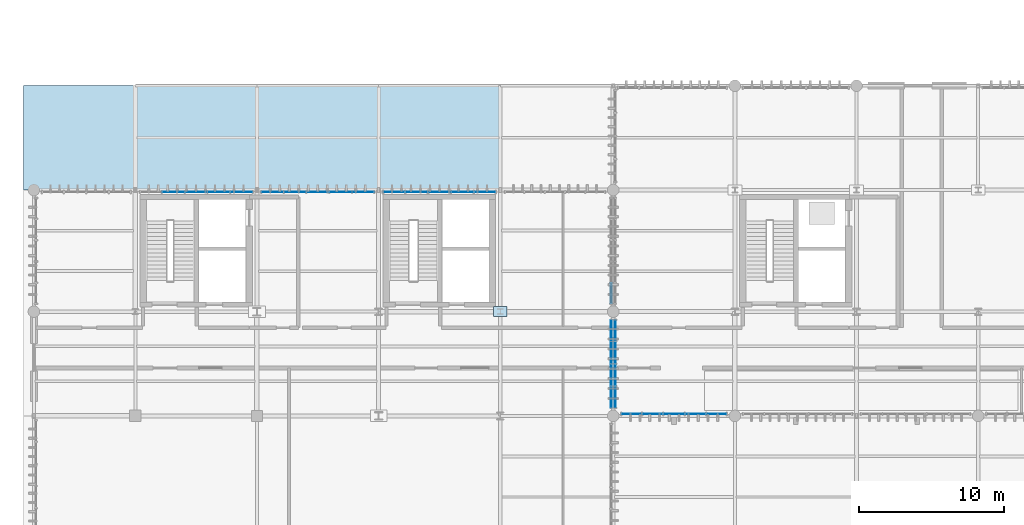
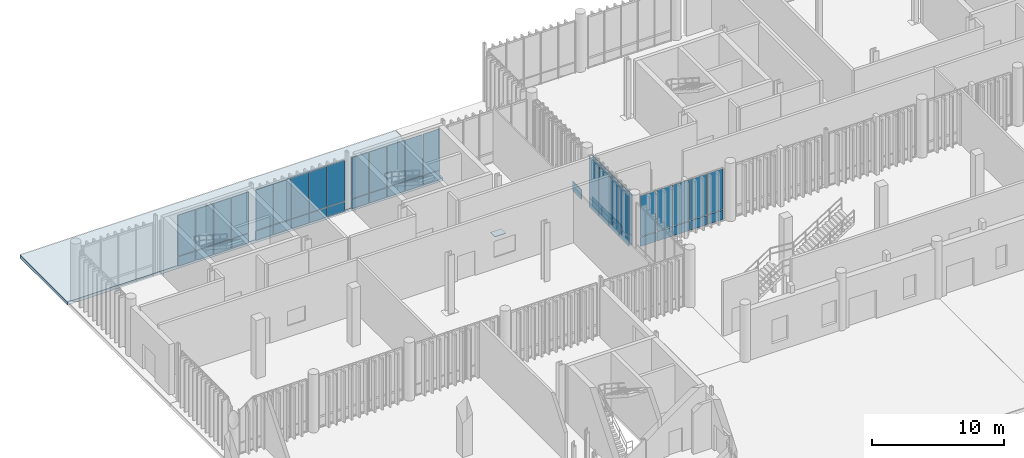
# One storey, part 77 of 112: 56 plates, 1 slab, 7 elements without a shape of their own.
"""IFC4 building model written with IfcOpenShell, lengths in metres."""

from ifc_helpers import new_model, si_unit, direction, frame, frame_2d, origin_with_axes, origin_2d_with_axis, place, context, subcontext, project, spatial, polyline, rectangle, outline, extrude, material, layer, layer_set, type_object, element, aggregate, save


model = new_model("IFC4")

# Units and contexts
model_context = context("Model", 3, precision=1e-05, world=origin_with_axes(), true_north=direction((0.0, 1.0)))
body_context = subcontext(model_context, "Body", "Model", "MODEL_VIEW")
ifc_project = project(units=[si_unit("LENGTHUNIT", "METRE"), si_unit("AREAUNIT", "SQUARE_METRE"), si_unit("VOLUMEUNIT", "CUBIC_METRE"), si_unit("PLANEANGLEUNIT", "RADIAN"), si_unit("MASSUNIT", "GRAM", prefix="KILO"), si_unit("THERMODYNAMICTEMPERATUREUNIT", "KELVIN")], contexts=[model_context])

# Site, building, storey
site_placement = place(None, origin_with_axes())
site = spatial("IfcSite", under=ifc_project, at=site_placement, CompositionType="ELEMENT")
building_placement = place(site_placement, origin_with_axes())
building = spatial("IfcBuilding", under=site, at=building_placement, Name="Montbau Bow Law Courts", CompositionType="ELEMENT")
storey_placement = place(building_placement, origin_with_axes())
storey = spatial("IfcBuildingStorey", under=building, at=storey_placement, Name="L00", CompositionType="ELEMENT", Elevation=0.0)

# Plate
ifc_material_1 = material(Name="Steel CSA G40.21 Grade 350W (350 MPa)", Category="steel")
ifc_layer_1 = layer(ifc_material_1, 0.05, Name="Base Plate", Category="steel")
ifc_layer_set_1 = layer_set([ifc_layer_1], Name="Steel CSA G40.21 Grade 350W (350 MPa)")
plate_type_1 = type_object("IfcPlateType", Name="PL-BAS-02", PredefinedType="USERDEFINED", material=ifc_layer_set_1)
plate_1_placement = place(None, frame((39.0, 46.2, -0.05), z_axis=(0.0, 0.0, 1.0), x_axis=(1.0, 0.0, 0.0)))
element("IfcPlate", 1, at=plate_1_placement, inside=storey, type_object=plate_type_1, Name="BP-218:plt_0006", ObjectType="BASE_PLATE", PredefinedType="USERDEFINED", context=body_context, shape_type="SweptSolid", body=[
    extrude(rectangle(XDim=0.96, YDim=0.68, at=origin_2d_with_axis()), origin_with_axes(), (0.0, 0.0, 1.0), 0.05),
])

# Curtain wall, plates
ifc_material_2 = material(Name="Thermally Broken Extruded Aluminium AA 6063-T6", Category="aluminium")
curtain_wall_type_1 = type_object("IfcCurtainWallType", Name="CW-TRC-01", PredefinedType="NOTDEFINED", material=ifc_material_2)
curtain_wall_1_placement = place(None, frame((14.068, 54.46, 0.0), z_axis=(0.0, 0.0, 1.0), x_axis=(1.0, 0.0, 0.0)))
curtain_wall_1 = element("IfcCurtainWall", 2, at=curtain_wall_1_placement, inside=storey, type_object=curtain_wall_type_1, Name="CW-L00-007:cw_0007", PredefinedType="NOTDEFINED")
ifc_material_3 = material(Name="Triple-Glazed Low-E Argon Insulating Glass Unit", Category="glass")
ifc_layer_2 = layer(ifc_material_3, 0.044, Name="Curtain Panel", Category="glass")
ifc_layer_set_2 = layer_set([ifc_layer_2], Name="Triple-Glazed Low-E Argon Insulating Glass Unit")
plate_type_2 = type_object("IfcPlateType", Name="PL-CWP-01", PredefinedType="CURTAIN_PANEL", material=ifc_layer_set_2)
plate_2_placement = place(None, frame((15.675, 54.46, 0.979), z_axis=(0.0, -1.0, 0.0), x_axis=(1.0, 0.0, 0.0)))
plate_2 = element("IfcPlate", 3, at=plate_2_placement, type_object=plate_type_2, Name="CW-L00-007-P02-2:cw_0007_P02_2", PredefinedType="CURTAIN_PANEL", context=body_context, shape_type="SweptSolid", body=[
    extrude(rectangle(XDim=1.504, YDim=3.785, at=frame_2d((0.752, 1.8925), x_axis=(1.0, 0.0))), frame((0.0, 0.0, -0.022), z_axis=(0.0, 0.0, 1.0), x_axis=(1.0, 0.0, 0.0)), (0.0, 0.0, 1.0), 0.044),
])
plate_3_placement = place(None, frame((17.248, 54.46, 0.979), z_axis=(0.0, -1.0, 0.0), x_axis=(1.0, 0.0, 0.0)))
plate_3 = element("IfcPlate", 4, at=plate_3_placement, type_object=plate_type_2, Name="CW-L00-007-P03-2:cw_0007_P03_2", PredefinedType="CURTAIN_PANEL", context=body_context, shape_type="SweptSolid", body=[
    extrude(rectangle(XDim=1.505, YDim=3.785, at=frame_2d((0.7525, 1.8925), x_axis=(1.0, 0.0))), frame((0.0, 0.0, -0.022), z_axis=(0.0, 0.0, 1.0), x_axis=(1.0, 0.0, 0.0)), (0.0, 0.0, 1.0), 0.044),
])
plate_4_placement = place(None, frame((18.821, 54.46, 0.979), z_axis=(0.0, -1.0, 0.0), x_axis=(1.0, 0.0, 0.0)))
plate_4 = element("IfcPlate", 5, at=plate_4_placement, type_object=plate_type_2, Name="CW-L00-007-P04-2:cw_0007_P04_2", PredefinedType="CURTAIN_PANEL", context=body_context, shape_type="SweptSolid", body=[
    extrude(rectangle(XDim=1.505, YDim=3.785, at=frame_2d((0.7525, 1.8925), x_axis=(1.0, 0.0))), frame((0.0, 0.0, -0.022), z_axis=(0.0, 0.0, 1.0), x_axis=(1.0, 0.0, 0.0)), (0.0, 0.0, 1.0), 0.044),
])
plate_5_placement = place(None, frame((20.394, 54.46, 0.979), z_axis=(0.0, -1.0, 0.0), x_axis=(1.0, 0.0, 0.0)))
plate_5 = element("IfcPlate", 6, at=plate_5_placement, type_object=plate_type_2, Name="CW-L00-007-P05-2:cw_0007_P05_2", PredefinedType="CURTAIN_PANEL", context=body_context, shape_type="SweptSolid", body=[
    extrude(rectangle(XDim=1.473, YDim=3.785, at=frame_2d((0.7365, 1.8925), x_axis=(1.0, 0.0))), frame((0.0, 0.0, -0.022), z_axis=(0.0, 0.0, 1.0), x_axis=(1.0, 0.0, 0.0)), (0.0, 0.0, 1.0), 0.044),
])

curtain_wall_2_placement = place(None, frame((22.467, 54.46, 0.0), z_axis=(0.0, 0.0, 1.0), x_axis=(1.0, 0.0, 0.0)))
curtain_wall_2 = element("IfcCurtainWall", 7, at=curtain_wall_2_placement, inside=storey, type_object=curtain_wall_type_1, Name="CW-L00-008:cw_0008", PredefinedType="NOTDEFINED")
plate_6_placement = place(None, frame((22.529, 54.46, 0.982), z_axis=(0.0, -1.0, 0.0), x_axis=(1.0, 0.0, 0.0)))
plate_6 = element("IfcPlate", 8, at=plate_6_placement, type_object=plate_type_2, Name="CW-L00-008-P01-2:cw_0008_P01_2", PredefinedType="CURTAIN_PANEL", context=body_context, shape_type="SweptSolid", body=[
    extrude(rectangle(XDim=1.479, YDim=3.776, at=frame_2d((0.7395, 1.888), x_axis=(1.0, 0.0))), frame((0.0, 0.0, -0.022), z_axis=(0.0, 0.0, 1.0), x_axis=(1.0, 0.0, 0.0)), (0.0, 0.0, 1.0), 0.044),
])
plate_7_placement = place(None, frame((24.072, 54.46, 0.982), z_axis=(0.0, -1.0, 0.0), x_axis=(1.0, 0.0, 0.0)))
plate_7 = element("IfcPlate", 9, at=plate_7_placement, type_object=plate_type_2, Name="CW-L00-008-P02-2:cw_0008_P02_2", PredefinedType="CURTAIN_PANEL", context=body_context, shape_type="SweptSolid", body=[
    extrude(rectangle(XDim=1.509, YDim=3.776, at=frame_2d((0.7545, 1.888), x_axis=(1.0, 0.0))), frame((0.0, 0.0, -0.022), z_axis=(0.0, 0.0, 1.0), x_axis=(1.0, 0.0, 0.0)), (0.0, 0.0, 1.0), 0.044),
])
plate_8_placement = place(None, frame((25.645, 54.46, 0.982), z_axis=(0.0, -1.0, 0.0), x_axis=(1.0, 0.0, 0.0)))
plate_8 = element("IfcPlate", 10, at=plate_8_placement, type_object=plate_type_2, Name="CW-L00-008-P03-2:cw_0008_P03_2", PredefinedType="CURTAIN_PANEL", context=body_context, shape_type="SweptSolid", body=[
    extrude(rectangle(XDim=1.51, YDim=3.776, at=frame_2d((0.755, 1.888), x_axis=(1.0, 0.0))), frame((0.0, 0.0, -0.022), z_axis=(0.0, 0.0, 1.0), x_axis=(1.0, 0.0, 0.0)), (0.0, 0.0, 1.0), 0.044),
])
plate_9_placement = place(None, frame((27.219, 54.46, 0.982), z_axis=(0.0, -1.0, 0.0), x_axis=(1.0, 0.0, 0.0)))
plate_9 = element("IfcPlate", 11, at=plate_9_placement, type_object=plate_type_2, Name="CW-L00-008-P04-2:cw_0008_P04_2", PredefinedType="CURTAIN_PANEL", context=body_context, shape_type="SweptSolid", body=[
    extrude(rectangle(XDim=1.509, YDim=3.776, at=frame_2d((0.7545, 1.888), x_axis=(1.0, 0.0))), frame((0.0, 0.0, -0.022), z_axis=(0.0, 0.0, 1.0), x_axis=(1.0, 0.0, 0.0)), (0.0, 0.0, 1.0), 0.044),
])
plate_10_placement = place(None, frame((28.792, 54.46, 0.982), z_axis=(0.0, -1.0, 0.0), x_axis=(1.0, 0.0, 0.0)))
plate_10 = element("IfcPlate", 12, at=plate_10_placement, type_object=plate_type_2, Name="CW-L00-008-P05-2:cw_0008_P05_2", PredefinedType="CURTAIN_PANEL", context=body_context, shape_type="SweptSolid", body=[
    extrude(rectangle(XDim=1.479, YDim=3.776, at=frame_2d((0.7395, 1.888), x_axis=(1.0, 0.0))), frame((0.0, 0.0, -0.022), z_axis=(0.0, 0.0, 1.0), x_axis=(1.0, 0.0, 0.0)), (0.0, 0.0, 1.0), 0.044),
])

curtain_wall_3_placement = place(None, frame((30.867, 54.46, 0.0), z_axis=(0.0, 0.0, 1.0), x_axis=(1.0, 0.0, 0.0)))
curtain_wall_3 = element("IfcCurtainWall", 13, at=curtain_wall_3_placement, inside=storey, type_object=curtain_wall_type_1, Name="CW-L00-009:cw_0009", PredefinedType="NOTDEFINED")
plate_11_placement = place(None, frame((30.943, 54.46, 0.979), z_axis=(0.0, -1.0, 0.0), x_axis=(1.0, 0.0, 0.0)))
plate_11 = element("IfcPlate", 14, at=plate_11_placement, type_object=plate_type_2, Name="CW-L00-009-P01-2:cw_0009_P01_2", PredefinedType="CURTAIN_PANEL", context=body_context, shape_type="SweptSolid", body=[
    extrude(rectangle(XDim=1.457, YDim=3.785, at=frame_2d((0.7285, 1.8925), x_axis=(1.0, 0.0))), frame((0.0, 0.0, -0.022), z_axis=(0.0, 0.0, 1.0), x_axis=(1.0, 0.0, 0.0)), (0.0, 0.0, 1.0), 0.044),
])
plate_12_placement = place(None, frame((32.48, 54.46, 0.979), z_axis=(0.0, -1.0, 0.0), x_axis=(1.0, 0.0, 0.0)))
plate_12 = element("IfcPlate", 15, at=plate_12_placement, type_object=plate_type_2, Name="CW-L00-009-P02-2:cw_0009_P02_2", PredefinedType="CURTAIN_PANEL", context=body_context, shape_type="SweptSolid", body=[
    extrude(rectangle(XDim=1.494, YDim=3.785, at=frame_2d((0.747, 1.8925), x_axis=(1.0, 0.0))), frame((0.0, 0.0, -0.022), z_axis=(0.0, 0.0, 1.0), x_axis=(1.0, 0.0, 0.0)), (0.0, 0.0, 1.0), 0.044),
])
plate_13_placement = place(None, frame((34.052, 54.46, 0.979), z_axis=(0.0, -1.0, 0.0), x_axis=(1.0, 0.0, 0.0)))
plate_13 = element("IfcPlate", 16, at=plate_13_placement, type_object=plate_type_2, Name="CW-L00-009-P03-2:cw_0009_P03_2", PredefinedType="CURTAIN_PANEL", context=body_context, shape_type="SweptSolid", body=[
    extrude(rectangle(XDim=1.495, YDim=3.785, at=frame_2d((0.7475, 1.8925), x_axis=(1.0, 0.0))), frame((0.0, 0.0, -0.022), z_axis=(0.0, 0.0, 1.0), x_axis=(1.0, 0.0, 0.0)), (0.0, 0.0, 1.0), 0.044),
])
plate_14_placement = place(None, frame((35.625, 54.46, 0.979), z_axis=(0.0, -1.0, 0.0), x_axis=(1.0, 0.0, 0.0)))
plate_14 = element("IfcPlate", 17, at=plate_14_placement, type_object=plate_type_2, Name="CW-L00-009-P04-2:cw_0009_P04_2", PredefinedType="CURTAIN_PANEL", context=body_context, shape_type="SweptSolid", body=[
    extrude(rectangle(XDim=1.495, YDim=3.785, at=frame_2d((0.7475, 1.8925), x_axis=(1.0, 0.0))), frame((0.0, 0.0, -0.022), z_axis=(0.0, 0.0, 1.0), x_axis=(1.0, 0.0, 0.0)), (0.0, 0.0, 1.0), 0.044),
])
plate_15_placement = place(None, frame((37.198, 54.46, 0.979), z_axis=(0.0, -1.0, 0.0), x_axis=(1.0, 0.0, 0.0)))
plate_15 = element("IfcPlate", 18, at=plate_15_placement, type_object=plate_type_2, Name="CW-L00-009-P05-2:cw_0009_P05_2", PredefinedType="CURTAIN_PANEL", context=body_context, shape_type="SweptSolid", body=[
    extrude(rectangle(XDim=1.457, YDim=3.785, at=frame_2d((0.7285, 1.8925), x_axis=(1.0, 0.0))), frame((0.0, 0.0, -0.022), z_axis=(0.0, 0.0, 1.0), x_axis=(1.0, 0.0, 0.0)), (0.0, 0.0, 1.0), 0.044),
])

curtain_wall_4_placement = place(None, frame((46.66, 39.515, 0.0), z_axis=(0.0, 0.0, 1.0), x_axis=(1.0, 0.0, 0.0)))
curtain_wall_4 = element("IfcCurtainWall", 19, at=curtain_wall_4_placement, inside=storey, type_object=curtain_wall_type_1, Name="CW-L00-014:cw_0014", PredefinedType="NOTDEFINED")
plate_16_placement = place(None, frame((46.66, 39.577, 0.982), z_axis=(1.0, 0.0, 0.0), x_axis=(0.0, 1.0, 0.0)))
plate_16 = element("IfcPlate", 20, at=plate_16_placement, type_object=plate_type_2, Name="CW-L00-014-P01-2:cw_0014_P01_2", PredefinedType="CURTAIN_PANEL", context=body_context, shape_type="SweptSolid", body=[
    extrude(rectangle(XDim=1.449, YDim=3.776, at=frame_2d((0.7245, 1.888), x_axis=(1.0, 0.0))), frame((0.0, 0.0, -0.022), z_axis=(0.0, 0.0, 1.0), x_axis=(1.0, 0.0, 0.0)), (0.0, 0.0, 1.0), 0.044),
])
plate_17_placement = place(None, frame((46.66, 41.09, 0.982), z_axis=(1.0, 0.0, 0.0), x_axis=(0.0, 1.0, 0.0)))
plate_17 = element("IfcPlate", 21, at=plate_17_placement, type_object=plate_type_2, Name="CW-L00-014-P02-2:cw_0014_P02_2", PredefinedType="CURTAIN_PANEL", context=body_context, shape_type="SweptSolid", body=[
    extrude(rectangle(XDim=1.478, YDim=3.776, at=frame_2d((0.739, 1.888), x_axis=(1.0, 0.0))), frame((0.0, 0.0, -0.022), z_axis=(0.0, 0.0, 1.0), x_axis=(1.0, 0.0, 0.0)), (0.0, 0.0, 1.0), 0.044),
])
plate_18_placement = place(None, frame((46.66, 42.632, 0.982), z_axis=(1.0, 0.0, 0.0), x_axis=(0.0, 1.0, 0.0)))
plate_18 = element("IfcPlate", 22, at=plate_18_placement, type_object=plate_type_2, Name="CW-L00-014-P03-2:cw_0014_P03_2", PredefinedType="CURTAIN_PANEL", context=body_context, shape_type="SweptSolid", body=[
    extrude(rectangle(XDim=1.479, YDim=3.776, at=frame_2d((0.7395, 1.888), x_axis=(1.0, 0.0))), frame((0.0, 0.0, -0.022), z_axis=(0.0, 0.0, 1.0), x_axis=(1.0, 0.0, 0.0)), (0.0, 0.0, 1.0), 0.044),
])
plate_19_placement = place(None, frame((46.66, 44.175, 0.982), z_axis=(1.0, 0.0, 0.0), x_axis=(0.0, 1.0, 0.0)))
plate_19 = element("IfcPlate", 23, at=plate_19_placement, type_object=plate_type_2, Name="CW-L00-014-P04-2:cw_0014_P04_2", PredefinedType="CURTAIN_PANEL", context=body_context, shape_type="SweptSolid", body=[
    extrude(rectangle(XDim=1.448, YDim=3.776, at=frame_2d((0.724, 1.888), x_axis=(1.0, 0.0))), frame((0.0, 0.0, -0.022), z_axis=(0.0, 0.0, 1.0), x_axis=(1.0, 0.0, 0.0)), (0.0, 0.0, 1.0), 0.044),
])

curtain_wall_type_2 = type_object("IfcCurtainWallType", Name="CW-CRM-01", PredefinedType="NOTDEFINED", material=ifc_material_2)
curtain_wall_5_placement = place(None, frame((47.315, 39.14, 0.0), z_axis=(0.0, 0.0, 1.0), x_axis=(1.0, 0.0, 0.0)))
curtain_wall_5 = element("IfcCurtainWall", 24, at=curtain_wall_5_placement, inside=storey, type_object=curtain_wall_type_2, Name="CW-L00-123:cw_0123", PredefinedType="NOTDEFINED")
plate_20_placement = place(None, frame((47.391, 39.14, 0.979), z_axis=(0.0, -1.0, 0.0), x_axis=(1.0, 0.0, 0.0)))
plate_20 = element("IfcPlate", 25, at=plate_20_placement, type_object=plate_type_2, Name="CW-L00-123-P01-2:cw_0123_P01_2", PredefinedType="CURTAIN_PANEL", context=body_context, shape_type="SweptSolid", body=[
    extrude(rectangle(XDim=1.358, YDim=3.785, at=frame_2d((0.679, 1.8925), x_axis=(1.0, 0.0))), frame((0.0, 0.0, -0.022), z_axis=(0.0, 0.0, 1.0), x_axis=(1.0, 0.0, 0.0)), (0.0, 0.0, 1.0), 0.044),
])
plate_21_placement = place(None, frame((48.829, 39.14, 0.979), z_axis=(0.0, -1.0, 0.0), x_axis=(1.0, 0.0, 0.0)))
plate_21 = element("IfcPlate", 26, at=plate_21_placement, type_object=plate_type_2, Name="CW-L00-123-P02-2:cw_0123_P02_2", PredefinedType="CURTAIN_PANEL", context=body_context, shape_type="SweptSolid", body=[
    extrude(rectangle(XDim=1.395, YDim=3.785, at=frame_2d((0.6975, 1.8925), x_axis=(1.0, 0.0))), frame((0.0, 0.0, -0.022), z_axis=(0.0, 0.0, 1.0), x_axis=(1.0, 0.0, 0.0)), (0.0, 0.0, 1.0), 0.044),
])
plate_22_placement = place(None, frame((50.302, 39.14, 0.979), z_axis=(0.0, -1.0, 0.0), x_axis=(1.0, 0.0, 0.0)))
plate_22 = element("IfcPlate", 27, at=plate_22_placement, type_object=plate_type_2, Name="CW-L00-123-P03-2:cw_0123_P03_2", PredefinedType="CURTAIN_PANEL", context=body_context, shape_type="SweptSolid", body=[
    extrude(rectangle(XDim=1.396, YDim=3.785, at=frame_2d((0.698, 1.8925), x_axis=(1.0, 0.0))), frame((0.0, 0.0, -0.022), z_axis=(0.0, 0.0, 1.0), x_axis=(1.0, 0.0, 0.0)), (0.0, 0.0, 1.0), 0.044),
])
plate_23_placement = place(None, frame((51.776, 39.14, 0.979), z_axis=(0.0, -1.0, 0.0), x_axis=(1.0, 0.0, 0.0)))
plate_23 = element("IfcPlate", 28, at=plate_23_placement, type_object=plate_type_2, Name="CW-L00-123-P04-2:cw_0123_P04_2", PredefinedType="CURTAIN_PANEL", context=body_context, shape_type="SweptSolid", body=[
    extrude(rectangle(XDim=1.396, YDim=3.785, at=frame_2d((0.698, 1.8925), x_axis=(1.0, 0.0))), frame((0.0, 0.0, -0.022), z_axis=(0.0, 0.0, 1.0), x_axis=(1.0, 0.0, 0.0)), (0.0, 0.0, 1.0), 0.044),
])
plate_24_placement = place(None, frame((53.25, 39.14, 0.979), z_axis=(0.0, -1.0, 0.0), x_axis=(1.0, 0.0, 0.0)))
plate_24 = element("IfcPlate", 29, at=plate_24_placement, type_object=plate_type_2, Name="CW-L00-123-P05-2:cw_0123_P05_2", PredefinedType="CURTAIN_PANEL", context=body_context, shape_type="SweptSolid", body=[
    extrude(rectangle(XDim=1.359, YDim=3.785, at=frame_2d((0.6795, 1.8925), x_axis=(1.0, 0.0))), frame((0.0, 0.0, -0.022), z_axis=(0.0, 0.0, 1.0), x_axis=(1.0, 0.0, 0.0)), (0.0, 0.0, 1.0), 0.044),
])

curtain_wall_6_placement = place(None, frame((46.94, 39.515, 0.0), z_axis=(0.0, 0.0, 1.0), x_axis=(1.0, 0.0, 0.0)))
curtain_wall_6 = element("IfcCurtainWall", 30, at=curtain_wall_6_placement, inside=storey, type_object=curtain_wall_type_2, Name="CW-L00-133:cw_0133", PredefinedType="NOTDEFINED")
plate_25_placement = place(None, frame((46.94, 39.583, 0.979), z_axis=(1.0, 0.0, 0.0), x_axis=(0.0, 1.0, 0.0)))
plate_25 = element("IfcPlate", 31, at=plate_25_placement, type_object=plate_type_2, Name="CW-L00-133-P01-2:cw_0133_P01_2", PredefinedType="CURTAIN_PANEL", context=body_context, shape_type="SweptSolid", body=[
    extrude(rectangle(XDim=1.44, YDim=3.785, at=frame_2d((0.72, 1.8925), x_axis=(1.0, 0.0))), frame((0.0, 0.0, -0.022), z_axis=(0.0, 0.0, 1.0), x_axis=(1.0, 0.0, 0.0)), (0.0, 0.0, 1.0), 0.044),
])
plate_26_placement = place(None, frame((46.94, 41.092, 0.979), z_axis=(1.0, 0.0, 0.0), x_axis=(0.0, 1.0, 0.0)))
plate_26 = element("IfcPlate", 32, at=plate_26_placement, type_object=plate_type_2, Name="CW-L00-133-P02-2:cw_0133_P02_2", PredefinedType="CURTAIN_PANEL", context=body_context, shape_type="SweptSolid", body=[
    extrude(rectangle(XDim=1.473, YDim=3.785, at=frame_2d((0.7365, 1.8925), x_axis=(1.0, 0.0))), frame((0.0, 0.0, -0.022), z_axis=(0.0, 0.0, 1.0), x_axis=(1.0, 0.0, 0.0)), (0.0, 0.0, 1.0), 0.044),
])
plate_27_placement = place(None, frame((46.94, 42.634, 0.979), z_axis=(1.0, 0.0, 0.0), x_axis=(0.0, 1.0, 0.0)))
plate_27 = element("IfcPlate", 33, at=plate_27_placement, type_object=plate_type_2, Name="CW-L00-133-P03-2:cw_0133_P03_2", PredefinedType="CURTAIN_PANEL", context=body_context, shape_type="SweptSolid", body=[
    extrude(rectangle(XDim=1.475, YDim=3.785, at=frame_2d((0.7375, 1.8925), x_axis=(1.0, 0.0))), frame((0.0, 0.0, -0.022), z_axis=(0.0, 0.0, 1.0), x_axis=(1.0, 0.0, 0.0)), (0.0, 0.0, 1.0), 0.044),
])
plate_28_placement = place(None, frame((46.94, 44.177, 0.979), z_axis=(1.0, 0.0, 0.0), x_axis=(0.0, 1.0, 0.0)))
plate_28 = element("IfcPlate", 34, at=plate_28_placement, type_object=plate_type_2, Name="CW-L00-133-P04-2:cw_0133_P04_2", PredefinedType="CURTAIN_PANEL", context=body_context, shape_type="SweptSolid", body=[
    extrude(rectangle(XDim=1.442, YDim=3.785, at=frame_2d((0.721, 1.8925), x_axis=(1.0, 0.0))), frame((0.0, 0.0, -0.022), z_axis=(0.0, 0.0, 1.0), x_axis=(1.0, 0.0, 0.0)), (0.0, 0.0, 1.0), 0.044),
])

# Plate
ifc_material_4 = material(Name="Insulated Ceramic-Frit Spandrel Glazing Unit", Category="glass")
ifc_layer_3 = layer(ifc_material_4, 0.056, Name="Curtain Panel", Category="glass")
ifc_layer_set_3 = layer_set([ifc_layer_3], Name="Insulated Ceramic-Frit Spandrel Glazing Unit")
plate_type_3 = type_object("IfcPlateType", Name="PL-CWP-02", PredefinedType="CURTAIN_PANEL", material=ifc_layer_set_3)
plate_29_placement = place(None, frame((15.675, 54.46, 0.058), z_axis=(0.0, -1.0, 0.0), x_axis=(1.0, 0.0, 0.0)))
plate_29 = element("IfcPlate", 35, at=plate_29_placement, type_object=plate_type_3, Name="CW-L00-007-P02-1:cw_0007_P02_1", PredefinedType="CURTAIN_PANEL", context=body_context, shape_type="SweptSolid", body=[
    extrude(rectangle(XDim=1.504, YDim=0.862, at=frame_2d((0.752, 0.431), x_axis=(1.0, 0.0))), frame((0.0, 0.0, -0.028), z_axis=(0.0, 0.0, 1.0), x_axis=(1.0, 0.0, 0.0)), (0.0, 0.0, 1.0), 0.056),
])

plate_30_placement = place(None, frame((17.248, 54.46, 0.058), z_axis=(0.0, -1.0, 0.0), x_axis=(1.0, 0.0, 0.0)))
plate_30 = element("IfcPlate", 36, at=plate_30_placement, type_object=plate_type_3, Name="CW-L00-007-P03-1:cw_0007_P03_1", PredefinedType="CURTAIN_PANEL", context=body_context, shape_type="SweptSolid", body=[
    extrude(rectangle(XDim=1.505, YDim=0.862, at=frame_2d((0.7525, 0.431), x_axis=(1.0, 0.0))), frame((0.0, 0.0, -0.028), z_axis=(0.0, 0.0, 1.0), x_axis=(1.0, 0.0, 0.0)), (0.0, 0.0, 1.0), 0.056),
])

plate_31_placement = place(None, frame((18.821, 54.46, 0.058), z_axis=(0.0, -1.0, 0.0), x_axis=(1.0, 0.0, 0.0)))
plate_31 = element("IfcPlate", 37, at=plate_31_placement, type_object=plate_type_3, Name="CW-L00-007-P04-1:cw_0007_P04_1", PredefinedType="CURTAIN_PANEL", context=body_context, shape_type="SweptSolid", body=[
    extrude(rectangle(XDim=1.505, YDim=0.862, at=frame_2d((0.7525, 0.431), x_axis=(1.0, 0.0))), frame((0.0, 0.0, -0.028), z_axis=(0.0, 0.0, 1.0), x_axis=(1.0, 0.0, 0.0)), (0.0, 0.0, 1.0), 0.056),
])

plate_32_placement = place(None, frame((20.394, 54.46, 0.058), z_axis=(0.0, -1.0, 0.0), x_axis=(1.0, 0.0, 0.0)))
plate_32 = element("IfcPlate", 38, at=plate_32_placement, type_object=plate_type_3, Name="CW-L00-007-P05-1:cw_0007_P05_1", PredefinedType="CURTAIN_PANEL", context=body_context, shape_type="SweptSolid", body=[
    extrude(rectangle(XDim=1.473, YDim=0.862, at=frame_2d((0.7365, 0.431), x_axis=(1.0, 0.0))), frame((0.0, 0.0, -0.028), z_axis=(0.0, 0.0, 1.0), x_axis=(1.0, 0.0, 0.0)), (0.0, 0.0, 1.0), 0.056),
])

aggregate(curtain_wall_1, [plate_29, plate_2, plate_30, plate_3, plate_31, plate_4, plate_32, plate_5])

plate_33_placement = place(None, frame((22.529, 54.46, 0.062), z_axis=(0.0, -1.0, 0.0), x_axis=(1.0, 0.0, 0.0)))
plate_33 = element("IfcPlate", 39, at=plate_33_placement, type_object=plate_type_3, Name="CW-L00-008-P01-1:cw_0008_P01_1", PredefinedType="CURTAIN_PANEL", context=body_context, shape_type="SweptSolid", body=[
    extrude(rectangle(XDim=1.479, YDim=0.856, at=frame_2d((0.7395, 0.428), x_axis=(1.0, 0.0))), frame((0.0, 0.0, -0.028), z_axis=(0.0, 0.0, 1.0), x_axis=(1.0, 0.0, 0.0)), (0.0, 0.0, 1.0), 0.056),
])

plate_34_placement = place(None, frame((24.072, 54.46, 0.062), z_axis=(0.0, -1.0, 0.0), x_axis=(1.0, 0.0, 0.0)))
plate_34 = element("IfcPlate", 40, at=plate_34_placement, type_object=plate_type_3, Name="CW-L00-008-P02-1:cw_0008_P02_1", PredefinedType="CURTAIN_PANEL", context=body_context, shape_type="SweptSolid", body=[
    extrude(rectangle(XDim=1.509, YDim=0.856, at=frame_2d((0.7545, 0.428), x_axis=(1.0, 0.0))), frame((0.0, 0.0, -0.028), z_axis=(0.0, 0.0, 1.0), x_axis=(1.0, 0.0, 0.0)), (0.0, 0.0, 1.0), 0.056),
])

plate_35_placement = place(None, frame((25.645, 54.46, 0.062), z_axis=(0.0, -1.0, 0.0), x_axis=(1.0, 0.0, 0.0)))
plate_35 = element("IfcPlate", 41, at=plate_35_placement, type_object=plate_type_3, Name="CW-L00-008-P03-1:cw_0008_P03_1", PredefinedType="CURTAIN_PANEL", context=body_context, shape_type="SweptSolid", body=[
    extrude(rectangle(XDim=1.51, YDim=0.856, at=frame_2d((0.755, 0.428), x_axis=(1.0, 0.0))), frame((0.0, 0.0, -0.028), z_axis=(0.0, 0.0, 1.0), x_axis=(1.0, 0.0, 0.0)), (0.0, 0.0, 1.0), 0.056),
])

plate_36_placement = place(None, frame((27.219, 54.46, 0.062), z_axis=(0.0, -1.0, 0.0), x_axis=(1.0, 0.0, 0.0)))
plate_36 = element("IfcPlate", 42, at=plate_36_placement, type_object=plate_type_3, Name="CW-L00-008-P04-1:cw_0008_P04_1", PredefinedType="CURTAIN_PANEL", context=body_context, shape_type="SweptSolid", body=[
    extrude(rectangle(XDim=1.509, YDim=0.856, at=frame_2d((0.7545, 0.428), x_axis=(1.0, 0.0))), frame((0.0, 0.0, -0.028), z_axis=(0.0, 0.0, 1.0), x_axis=(1.0, 0.0, 0.0)), (0.0, 0.0, 1.0), 0.056),
])

plate_37_placement = place(None, frame((28.792, 54.46, 0.062), z_axis=(0.0, -1.0, 0.0), x_axis=(1.0, 0.0, 0.0)))
plate_37 = element("IfcPlate", 43, at=plate_37_placement, type_object=plate_type_3, Name="CW-L00-008-P05-1:cw_0008_P05_1", PredefinedType="CURTAIN_PANEL", context=body_context, shape_type="SweptSolid", body=[
    extrude(rectangle(XDim=1.479, YDim=0.856, at=frame_2d((0.7395, 0.428), x_axis=(1.0, 0.0))), frame((0.0, 0.0, -0.028), z_axis=(0.0, 0.0, 1.0), x_axis=(1.0, 0.0, 0.0)), (0.0, 0.0, 1.0), 0.056),
])

aggregate(curtain_wall_2, [plate_33, plate_6, plate_34, plate_7, plate_35, plate_8, plate_36, plate_9, plate_37, plate_10])

plate_38_placement = place(None, frame((30.943, 54.46, 0.058), z_axis=(0.0, -1.0, 0.0), x_axis=(1.0, 0.0, 0.0)))
plate_38 = element("IfcPlate", 44, at=plate_38_placement, type_object=plate_type_3, Name="CW-L00-009-P01-1:cw_0009_P01_1", PredefinedType="CURTAIN_PANEL", context=body_context, shape_type="SweptSolid", body=[
    extrude(rectangle(XDim=1.457, YDim=0.862, at=frame_2d((0.7285, 0.431), x_axis=(1.0, 0.0))), frame((0.0, 0.0, -0.028), z_axis=(0.0, 0.0, 1.0), x_axis=(1.0, 0.0, 0.0)), (0.0, 0.0, 1.0), 0.056),
])

plate_39_placement = place(None, frame((32.48, 54.46, 0.058), z_axis=(0.0, -1.0, 0.0), x_axis=(1.0, 0.0, 0.0)))
plate_39 = element("IfcPlate", 45, at=plate_39_placement, type_object=plate_type_3, Name="CW-L00-009-P02-1:cw_0009_P02_1", PredefinedType="CURTAIN_PANEL", context=body_context, shape_type="SweptSolid", body=[
    extrude(rectangle(XDim=1.494, YDim=0.862, at=frame_2d((0.747, 0.431), x_axis=(1.0, 0.0))), frame((0.0, 0.0, -0.028), z_axis=(0.0, 0.0, 1.0), x_axis=(1.0, 0.0, 0.0)), (0.0, 0.0, 1.0), 0.056),
])

plate_40_placement = place(None, frame((34.052, 54.46, 0.058), z_axis=(0.0, -1.0, 0.0), x_axis=(1.0, 0.0, 0.0)))
plate_40 = element("IfcPlate", 46, at=plate_40_placement, type_object=plate_type_3, Name="CW-L00-009-P03-1:cw_0009_P03_1", PredefinedType="CURTAIN_PANEL", context=body_context, shape_type="SweptSolid", body=[
    extrude(rectangle(XDim=1.495, YDim=0.862, at=frame_2d((0.7475, 0.431), x_axis=(1.0, 0.0))), frame((0.0, 0.0, -0.028), z_axis=(0.0, 0.0, 1.0), x_axis=(1.0, 0.0, 0.0)), (0.0, 0.0, 1.0), 0.056),
])

plate_41_placement = place(None, frame((35.625, 54.46, 0.058), z_axis=(0.0, -1.0, 0.0), x_axis=(1.0, 0.0, 0.0)))
plate_41 = element("IfcPlate", 47, at=plate_41_placement, type_object=plate_type_3, Name="CW-L00-009-P04-1:cw_0009_P04_1", PredefinedType="CURTAIN_PANEL", context=body_context, shape_type="SweptSolid", body=[
    extrude(rectangle(XDim=1.495, YDim=0.862, at=frame_2d((0.7475, 0.431), x_axis=(1.0, 0.0))), frame((0.0, 0.0, -0.028), z_axis=(0.0, 0.0, 1.0), x_axis=(1.0, 0.0, 0.0)), (0.0, 0.0, 1.0), 0.056),
])

plate_42_placement = place(None, frame((37.198, 54.46, 0.058), z_axis=(0.0, -1.0, 0.0), x_axis=(1.0, 0.0, 0.0)))
plate_42 = element("IfcPlate", 48, at=plate_42_placement, type_object=plate_type_3, Name="CW-L00-009-P05-1:cw_0009_P05_1", PredefinedType="CURTAIN_PANEL", context=body_context, shape_type="SweptSolid", body=[
    extrude(rectangle(XDim=1.457, YDim=0.862, at=frame_2d((0.7285, 0.431), x_axis=(1.0, 0.0))), frame((0.0, 0.0, -0.028), z_axis=(0.0, 0.0, 1.0), x_axis=(1.0, 0.0, 0.0)), (0.0, 0.0, 1.0), 0.056),
])

aggregate(curtain_wall_3, [plate_38, plate_11, plate_39, plate_12, plate_40, plate_13, plate_41, plate_14, plate_42, plate_15])

plate_43_placement = place(None, frame((46.66, 39.577, 0.062), z_axis=(1.0, 0.0, 0.0), x_axis=(0.0, 1.0, 0.0)))
plate_43 = element("IfcPlate", 49, at=plate_43_placement, type_object=plate_type_3, Name="CW-L00-014-P01-1:cw_0014_P01_1", PredefinedType="CURTAIN_PANEL", context=body_context, shape_type="SweptSolid", body=[
    extrude(rectangle(XDim=1.449, YDim=0.856, at=frame_2d((0.7245, 0.428), x_axis=(1.0, 0.0))), frame((0.0, 0.0, -0.028), z_axis=(0.0, 0.0, 1.0), x_axis=(1.0, 0.0, 0.0)), (0.0, 0.0, 1.0), 0.056),
])

plate_44_placement = place(None, frame((46.66, 41.09, 0.062), z_axis=(1.0, 0.0, 0.0), x_axis=(0.0, 1.0, 0.0)))
plate_44 = element("IfcPlate", 50, at=plate_44_placement, type_object=plate_type_3, Name="CW-L00-014-P02-1:cw_0014_P02_1", PredefinedType="CURTAIN_PANEL", context=body_context, shape_type="SweptSolid", body=[
    extrude(rectangle(XDim=1.478, YDim=0.856, at=frame_2d((0.739, 0.428), x_axis=(1.0, 0.0))), frame((0.0, 0.0, -0.028), z_axis=(0.0, 0.0, 1.0), x_axis=(1.0, 0.0, 0.0)), (0.0, 0.0, 1.0), 0.056),
])

plate_45_placement = place(None, frame((46.66, 42.632, 0.062), z_axis=(1.0, 0.0, 0.0), x_axis=(0.0, 1.0, 0.0)))
plate_45 = element("IfcPlate", 51, at=plate_45_placement, type_object=plate_type_3, Name="CW-L00-014-P03-1:cw_0014_P03_1", PredefinedType="CURTAIN_PANEL", context=body_context, shape_type="SweptSolid", body=[
    extrude(rectangle(XDim=1.479, YDim=0.856, at=frame_2d((0.7395, 0.428), x_axis=(1.0, 0.0))), frame((0.0, 0.0, -0.028), z_axis=(0.0, 0.0, 1.0), x_axis=(1.0, 0.0, 0.0)), (0.0, 0.0, 1.0), 0.056),
])

plate_46_placement = place(None, frame((46.66, 44.175, 0.062), z_axis=(1.0, 0.0, 0.0), x_axis=(0.0, 1.0, 0.0)))
plate_46 = element("IfcPlate", 52, at=plate_46_placement, type_object=plate_type_3, Name="CW-L00-014-P04-1:cw_0014_P04_1", PredefinedType="CURTAIN_PANEL", context=body_context, shape_type="SweptSolid", body=[
    extrude(rectangle(XDim=1.448, YDim=0.856, at=frame_2d((0.724, 0.428), x_axis=(1.0, 0.0))), frame((0.0, 0.0, -0.028), z_axis=(0.0, 0.0, 1.0), x_axis=(1.0, 0.0, 0.0)), (0.0, 0.0, 1.0), 0.056),
])

aggregate(curtain_wall_4, [plate_43, plate_16, plate_44, plate_17, plate_45, plate_18, plate_46, plate_19])

# Curtain wall, plate
curtain_wall_7_placement = place(None, frame((46.66, 46.715, 0.0), z_axis=(0.0, 0.0, 1.0), x_axis=(1.0, 0.0, 0.0)))
curtain_wall_7 = element("IfcCurtainWall", 53, at=curtain_wall_7_placement, inside=storey, type_object=curtain_wall_type_1, Name="CW-L00-015:cw_0015", PredefinedType="NOTDEFINED")
plate_47_placement = place(None, frame((46.66, 46.791, 0.058), z_axis=(1.0, 0.0, 0.0), x_axis=(0.0, 1.0, 0.0)))
plate_47 = element("IfcPlate", 54, at=plate_47_placement, type_object=plate_type_3, Name="CW-L00-015-P01-1:cw_0015_P01_1", PredefinedType="CURTAIN_PANEL", context=body_context, shape_type="SweptSolid", body=[
    extrude(rectangle(XDim=1.358, YDim=0.862, at=frame_2d((0.679, 0.431), x_axis=(1.0, 0.0))), frame((0.0, 0.0, -0.028), z_axis=(0.0, 0.0, 1.0), x_axis=(1.0, 0.0, 0.0)), (0.0, 0.0, 1.0), 0.056),
])
aggregate(curtain_wall_7, [plate_47])

# Plate
plate_48_placement = place(None, frame((47.391, 39.14, 0.058), z_axis=(0.0, -1.0, 0.0), x_axis=(1.0, 0.0, 0.0)))
plate_48 = element("IfcPlate", 55, at=plate_48_placement, type_object=plate_type_3, Name="CW-L00-123-P01-1:cw_0123_P01_1", PredefinedType="CURTAIN_PANEL", context=body_context, shape_type="SweptSolid", body=[
    extrude(rectangle(XDim=1.358, YDim=0.862, at=frame_2d((0.679, 0.431), x_axis=(1.0, 0.0))), frame((0.0, 0.0, -0.028), z_axis=(0.0, 0.0, 1.0), x_axis=(1.0, 0.0, 0.0)), (0.0, 0.0, 1.0), 0.056),
])

plate_49_placement = place(None, frame((48.829, 39.14, 0.058), z_axis=(0.0, -1.0, 0.0), x_axis=(1.0, 0.0, 0.0)))
plate_49 = element("IfcPlate", 56, at=plate_49_placement, type_object=plate_type_3, Name="CW-L00-123-P02-1:cw_0123_P02_1", PredefinedType="CURTAIN_PANEL", context=body_context, shape_type="SweptSolid", body=[
    extrude(rectangle(XDim=1.395, YDim=0.862, at=frame_2d((0.6975, 0.431), x_axis=(1.0, 0.0))), frame((0.0, 0.0, -0.028), z_axis=(0.0, 0.0, 1.0), x_axis=(1.0, 0.0, 0.0)), (0.0, 0.0, 1.0), 0.056),
])

plate_50_placement = place(None, frame((50.302, 39.14, 0.058), z_axis=(0.0, -1.0, 0.0), x_axis=(1.0, 0.0, 0.0)))
plate_50 = element("IfcPlate", 57, at=plate_50_placement, type_object=plate_type_3, Name="CW-L00-123-P03-1:cw_0123_P03_1", PredefinedType="CURTAIN_PANEL", context=body_context, shape_type="SweptSolid", body=[
    extrude(rectangle(XDim=1.396, YDim=0.862, at=frame_2d((0.698, 0.431), x_axis=(1.0, 0.0))), frame((0.0, 0.0, -0.028), z_axis=(0.0, 0.0, 1.0), x_axis=(1.0, 0.0, 0.0)), (0.0, 0.0, 1.0), 0.056),
])

plate_51_placement = place(None, frame((51.776, 39.14, 0.058), z_axis=(0.0, -1.0, 0.0), x_axis=(1.0, 0.0, 0.0)))
plate_51 = element("IfcPlate", 58, at=plate_51_placement, type_object=plate_type_3, Name="CW-L00-123-P04-1:cw_0123_P04_1", PredefinedType="CURTAIN_PANEL", context=body_context, shape_type="SweptSolid", body=[
    extrude(rectangle(XDim=1.396, YDim=0.862, at=frame_2d((0.698, 0.431), x_axis=(1.0, 0.0))), frame((0.0, 0.0, -0.028), z_axis=(0.0, 0.0, 1.0), x_axis=(1.0, 0.0, 0.0)), (0.0, 0.0, 1.0), 0.056),
])

plate_52_placement = place(None, frame((53.25, 39.14, 0.058), z_axis=(0.0, -1.0, 0.0), x_axis=(1.0, 0.0, 0.0)))
plate_52 = element("IfcPlate", 59, at=plate_52_placement, type_object=plate_type_3, Name="CW-L00-123-P05-1:cw_0123_P05_1", PredefinedType="CURTAIN_PANEL", context=body_context, shape_type="SweptSolid", body=[
    extrude(rectangle(XDim=1.359, YDim=0.862, at=frame_2d((0.6795, 0.431), x_axis=(1.0, 0.0))), frame((0.0, 0.0, -0.028), z_axis=(0.0, 0.0, 1.0), x_axis=(1.0, 0.0, 0.0)), (0.0, 0.0, 1.0), 0.056),
])

aggregate(curtain_wall_5, [plate_48, plate_20, plate_49, plate_21, plate_50, plate_22, plate_51, plate_23, plate_52, plate_24])

plate_53_placement = place(None, frame((46.94, 39.583, 0.058), z_axis=(1.0, 0.0, 0.0), x_axis=(0.0, 1.0, 0.0)))
plate_53 = element("IfcPlate", 60, at=plate_53_placement, type_object=plate_type_3, Name="CW-L00-133-P01-1:cw_0133_P01_1", PredefinedType="CURTAIN_PANEL", context=body_context, shape_type="SweptSolid", body=[
    extrude(rectangle(XDim=1.44, YDim=0.862, at=frame_2d((0.72, 0.431), x_axis=(1.0, 0.0))), frame((0.0, 0.0, -0.028), z_axis=(0.0, 0.0, 1.0), x_axis=(1.0, 0.0, 0.0)), (0.0, 0.0, 1.0), 0.056),
])

plate_54_placement = place(None, frame((46.94, 41.092, 0.058), z_axis=(1.0, 0.0, 0.0), x_axis=(0.0, 1.0, 0.0)))
plate_54 = element("IfcPlate", 61, at=plate_54_placement, type_object=plate_type_3, Name="CW-L00-133-P02-1:cw_0133_P02_1", PredefinedType="CURTAIN_PANEL", context=body_context, shape_type="SweptSolid", body=[
    extrude(rectangle(XDim=1.473, YDim=0.862, at=frame_2d((0.7365, 0.431), x_axis=(1.0, 0.0))), frame((0.0, 0.0, -0.028), z_axis=(0.0, 0.0, 1.0), x_axis=(1.0, 0.0, 0.0)), (0.0, 0.0, 1.0), 0.056),
])

plate_55_placement = place(None, frame((46.94, 42.634, 0.058), z_axis=(1.0, 0.0, 0.0), x_axis=(0.0, 1.0, 0.0)))
plate_55 = element("IfcPlate", 62, at=plate_55_placement, type_object=plate_type_3, Name="CW-L00-133-P03-1:cw_0133_P03_1", PredefinedType="CURTAIN_PANEL", context=body_context, shape_type="SweptSolid", body=[
    extrude(rectangle(XDim=1.475, YDim=0.862, at=frame_2d((0.7375, 0.431), x_axis=(1.0, 0.0))), frame((0.0, 0.0, -0.028), z_axis=(0.0, 0.0, 1.0), x_axis=(1.0, 0.0, 0.0)), (0.0, 0.0, 1.0), 0.056),
])

plate_56_placement = place(None, frame((46.94, 44.177, 0.058), z_axis=(1.0, 0.0, 0.0), x_axis=(0.0, 1.0, 0.0)))
plate_56 = element("IfcPlate", 63, at=plate_56_placement, type_object=plate_type_3, Name="CW-L00-133-P04-1:cw_0133_P04_1", PredefinedType="CURTAIN_PANEL", context=body_context, shape_type="SweptSolid", body=[
    extrude(rectangle(XDim=1.442, YDim=0.862, at=frame_2d((0.721, 0.431), x_axis=(1.0, 0.0))), frame((0.0, 0.0, -0.028), z_axis=(0.0, 0.0, 1.0), x_axis=(1.0, 0.0, 0.0)), (0.0, 0.0, 1.0), 0.056),
])

aggregate(curtain_wall_6, [plate_53, plate_25, plate_54, plate_26, plate_55, plate_27, plate_56, plate_28])

# Slab
ifc_material_5 = material(Name="Concrete CSA A23.1 f'c 40 MPa", Category="concrete")
ifc_layer_4 = layer(ifc_material_5, 0.29, Name="Roof Slab", Category="concrete")
ifc_layer_set_4 = layer_set([ifc_layer_4], Name="Concrete CSA A23.1 f'c 40 MPa")
slab_type = type_object("IfcSlabType", Name="SL-ROF-02", PredefinedType="ROOF", material=ifc_layer_set_4)
slab_placement = place(None, frame((0.0, 0.0, -0.29), z_axis=(0.0, 0.0, 1.0), x_axis=(1.0, 0.0, 0.0)))
element("IfcSlab", 64, at=slab_placement, inside=storey, type_object=slab_type, Name="RF-SLB-LID-L00-08:slb_0059", PredefinedType="ROOF", context=body_context, shape_type="SweptSolid", body=[
    extrude(outline(polyline([(38.996, 54.604), (6.08, 54.604), (6.08, 61.8), (38.996, 61.8), (38.996, 54.604)])), origin_with_axes(), (0.0, 0.0, 1.0), 0.29),
])

save(model, "model.ifc")
